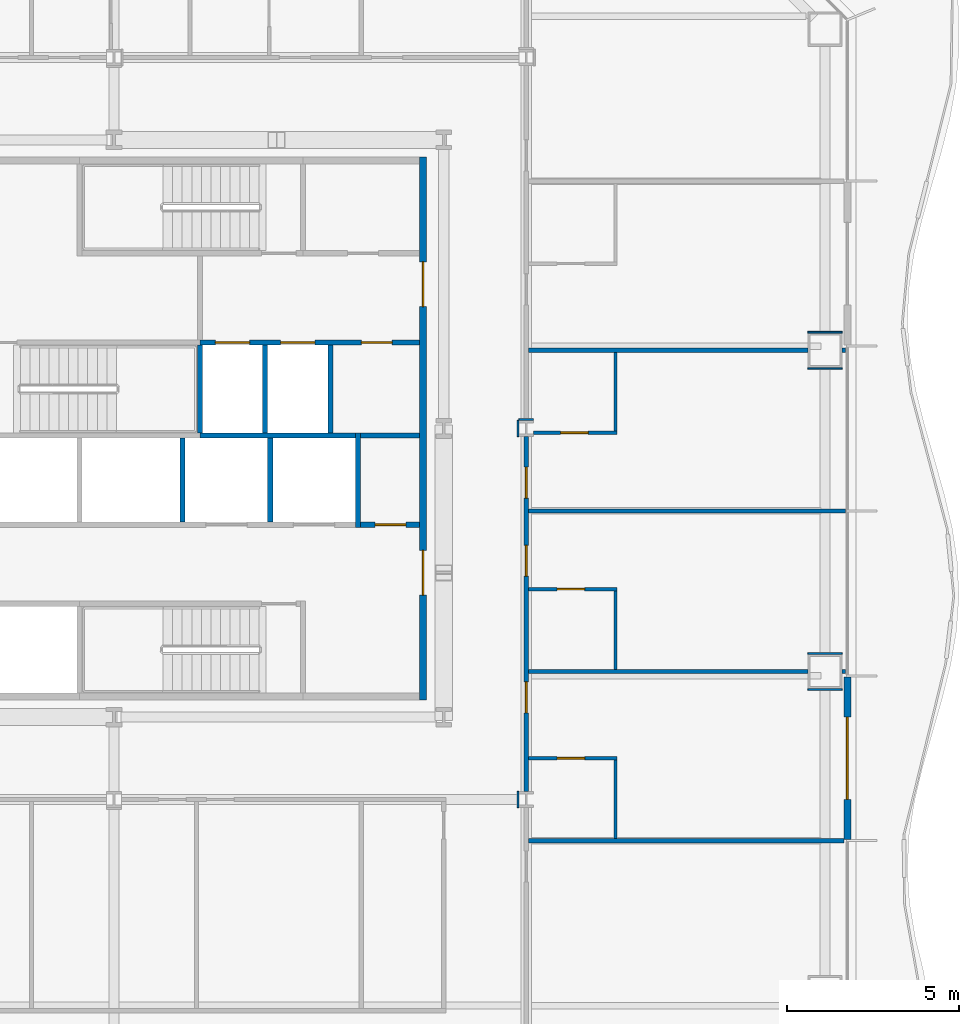
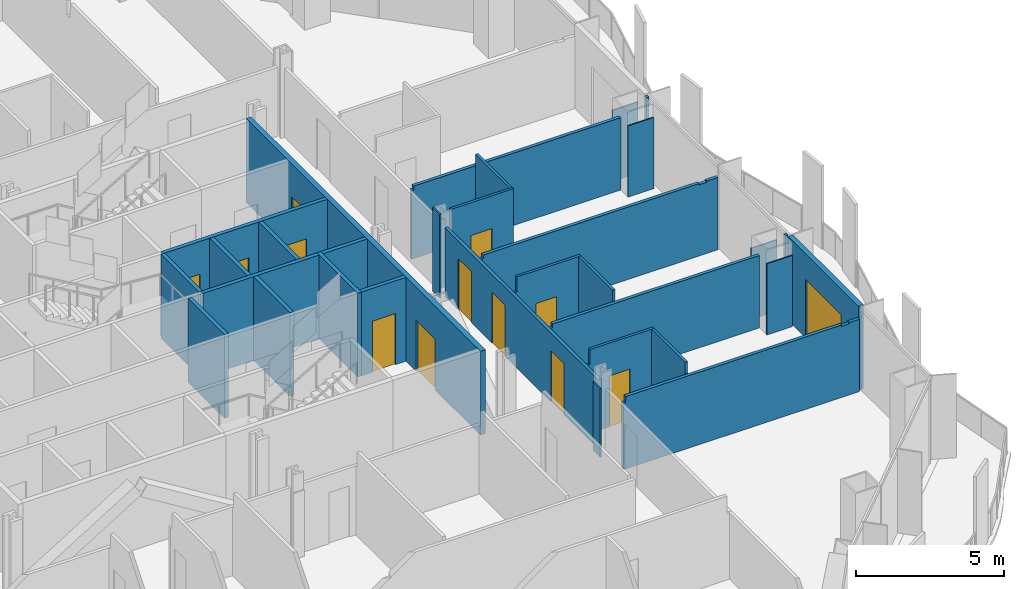
# One storey, part 11 of 20: 32 walls, 13 doors, 13 openings.
"""IFC4 building model written with IfcOpenShell, lengths in metres."""

from ifc_helpers import new_model, si_unit, direction, frame, frame_2d, origin, place, context, subcontext, project, spatial, polyline, rectangle, outline, extrude, material, layer, layer_set, type_object, element, fill, save


model = new_model("IFC4")

# Units and contexts
model_context = context("Model", 3, precision=1e-05, world=origin(), true_north=direction((0.0, 1.0)))
body_context = subcontext(model_context, "Body", "Model", "MODEL_VIEW")
ifc_project = project(units=[si_unit("LENGTHUNIT", "METRE"), si_unit("AREAUNIT", "SQUARE_METRE"), si_unit("VOLUMEUNIT", "CUBIC_METRE"), si_unit("PLANEANGLEUNIT", "RADIAN"), si_unit("MASSUNIT", "GRAM", prefix="KILO")], contexts=[model_context])

# Site, building, storey
site_placement = place(None, origin())
site = spatial("IfcSite", under=ifc_project, at=site_placement, CompositionType="ELEMENT")
building_placement = place(site_placement, origin())
building = spatial("IfcBuilding", under=site, at=building_placement, Name="Cairn Pilgrim Tower", CompositionType="ELEMENT")
storey_placement = place(building_placement, frame((0.0, 0.0, 51.0)))
storey = spatial("IfcBuildingStorey", under=building, at=storey_placement, Name="L10", CompositionType="ELEMENT", Elevation=51.0)

# Wall, opening, door
ifc_material_1 = material(Name="Bronze anodised aluminium insulated sandwich panel with mineral wool fill", Category="aluminium")
ifc_layer_1 = layer(ifc_material_1, 0.199951171875)
ifc_layer_set_1 = layer_set([ifc_layer_1], Name="BRONZE INFILL FRAME WALL 200")
wall_type_1 = type_object("IfcWallType", Name="BRONZE INFILL FRAME WALL 200", PredefinedType="NOTDEFINED", material=ifc_layer_set_1)
wall_1_placement = place(storey_placement, frame((28.550048828125, -9.570068359375, 0.0), z_axis=(0.0, 0.0, 1.0), x_axis=(0.0, 1.0, 0.0)))
wall_1 = element("IfcWall", 1, at=wall_1_placement, inside=storey, type_object=wall_type_1, Name="Bronze infill frame wall IW-E2", PredefinedType="NOTDEFINED", context=body_context, shape_type="SweptSolid", body=[
    extrude(rectangle(XDim=4.739990234375, YDim=0.199951171875, at=frame_2d((2.3701171875, 0.0))), origin(), (0.0, 0.0, 1.0), 3.449951171875),
])
opening_1_placement = place(wall_1_placement, frame((1.169921875, 0.0, 0.0)))
opening_1 = element("IfcOpeningElement", 2, at=opening_1_placement, cuts=wall_1, Name="Opening 1023B", PredefinedType="OPENING", context=body_context, shape_type="SweptSolid", body=[
    extrude(rectangle(XDim=2.39990234375, YDim=2.39990234375, at=frame_2d((1.199951171875, 1.199951171875))), frame((0.0, 0.10986328125, 0.0), z_axis=(0.0, -1.0, 0.0), x_axis=(1.0, 0.0, 0.0)), (0.0, 0.0, 1.0), 0.219970703125),
])
ifc_material_2 = material(Name="Bronze anodised aluminium frame with tinted low-E glass", Category="aluminium")
door_type_1 = type_object("IfcDoorType", Name="BALCONY SLIDING DOOR 2400x2400", OperationType="DOUBLE_DOOR_SLIDING", PredefinedType="DOOR", material=ifc_material_2)
door_1_placement = place(opening_1_placement, origin())
door_1 = element("IfcDoor", 3, at=door_1_placement, inside=storey, type_object=door_type_1, Name="Balcony sliding door 1023B", OperationType="SINGLE_SWING_LEFT", OverallHeight=2.39990234375, OverallWidth=2.39990234375, PredefinedType="DOOR", context=body_context, shape_type="SweptSolid", body=[
    extrude(rectangle(XDim=2.39990234375, YDim=2.39990234375, at=frame_2d((1.199951171875, 1.199951171875))), frame((0.0, 0.02490234375, 0.0), z_axis=(0.0, -1.0, 0.0), x_axis=(1.0, 0.0, 0.0)), (0.0, 0.0, 1.0), 0.050048828125),
])
fill(opening_1, door_1)

# Wall, openings, doors
ifc_material_3 = material(Name="Concrete C32/40", Category="concrete")
ifc_layer_2 = layer(ifc_material_3, 0.199951171875)
ifc_layer_set_2 = layer_set([ifc_layer_2], Name="CORE OUTER WALL 200 EI 120")
wall_type_2 = type_object("IfcWallType", Name="CORE OUTER WALL 200 EI 120", PredefinedType="SOLIDWALL", material=ifc_layer_set_2)
wall_2_placement = place(storey_placement, frame((16.199951171875, -5.5, 0.0), z_axis=(0.0, 0.0, 1.0), x_axis=(0.0, 1.0, 0.0)))
wall_2 = element("IfcWall", 4, at=wall_2_placement, inside=storey, type_object=wall_type_2, Name="CW:L10:V34", PredefinedType="SOLIDWALL", context=body_context, shape_type="SweptSolid", body=[
    extrude(rectangle(XDim=15.800048828125, YDim=0.199951171875, at=frame_2d((7.89990234375, 0.0))), origin(), (0.0, 0.0, 1.0), 3.449951171875),
])
opening_2_placement = place(wall_2_placement, frame((3.050048828125, 0.0, 0.0)))
opening_2 = element("IfcOpeningElement", 5, at=opening_2_placement, cuts=wall_2, Name="Opening CD-E1", PredefinedType="OPENING", context=body_context, shape_type="SweptSolid", body=[
    extrude(rectangle(XDim=1.300048828125, YDim=2.10009765625, at=frame_2d((0.64990234375, 1.050048828125))), frame((0.0, 0.10986328125, 0.0), z_axis=(0.0, -1.0, 0.0), x_axis=(1.0, 0.0, 0.0)), (0.0, 0.0, 1.0), 0.219970703125),
])
opening_3_placement = place(wall_2_placement, frame((11.449951171875, 0.0, 0.0)))
opening_3 = element("IfcOpeningElement", 6, at=opening_3_placement, cuts=wall_2, Name="Opening CD-E2", PredefinedType="OPENING", context=body_context, shape_type="SweptSolid", body=[
    extrude(rectangle(XDim=1.300048828125, YDim=2.10009765625, at=frame_2d((0.64990234375, 1.050048828125))), frame((0.0, 0.10986328125, 0.0), z_axis=(0.0, -1.0, 0.0), x_axis=(1.0, 0.0, 0.0)), (0.0, 0.0, 1.0), 0.219970703125),
])
ifc_material_4 = material(Name="Painted steel", Category="steel")
door_type_2 = type_object("IfcDoorType", Name="CORE LOBBY DOOR 1300x2100", OperationType="DOUBLE_DOOR_SINGLE_SWING", PredefinedType="DOOR", material=ifc_material_4)
door_2_placement = place(opening_2_placement, origin())
door_2 = element("IfcDoor", 7, at=door_2_placement, inside=storey, type_object=door_type_2, Name="CD-E1", OperationType="DOUBLE_DOOR_SINGLE_SWING", OverallHeight=2.10009765625, OverallWidth=1.300048828125, PredefinedType="DOOR", context=body_context, shape_type="SweptSolid", body=[
    extrude(rectangle(XDim=1.300048828125, YDim=2.10009765625, at=frame_2d((0.64990234375, 1.050048828125))), frame((0.0, 0.02490234375, 0.0), z_axis=(0.0, -1.0, 0.0), x_axis=(1.0, 0.0, 0.0)), (0.0, 0.0, 1.0), 0.050048828125),
])
fill(opening_2, door_2)
door_3_placement = place(opening_3_placement, origin())
door_3 = element("IfcDoor", 8, at=door_3_placement, inside=storey, type_object=door_type_2, Name="CD-E2", OperationType="DOUBLE_DOOR_SINGLE_SWING", OverallHeight=2.10009765625, OverallWidth=1.300048828125, PredefinedType="DOOR", context=body_context, shape_type="SweptSolid", body=[
    extrude(rectangle(XDim=1.300048828125, YDim=2.10009765625, at=frame_2d((0.64990234375, 1.050048828125))), frame((0.0, 0.02490234375, 0.0), z_axis=(0.0, -1.0, 0.0), x_axis=(1.0, 0.0, 0.0)), (0.0, 0.0, 1.0), 0.050048828125),
])
fill(opening_3, door_3)

# Wall, opening, door
ifc_layer_3 = layer(ifc_material_3, 0.14990234375)
ifc_layer_set_3 = layer_set([ifc_layer_3], Name="CORE PARTITION 150 EI 60")
wall_type_3 = type_object("IfcWallType", Name="CORE PARTITION 150 EI 60", PredefinedType="PARTITIONING", material=ifc_layer_set_3)
wall_3_placement = place(storey_placement, frame((14.375, -0.39990234375, 0.0), z_axis=(0.0, 0.0, 1.0), x_axis=(1.0, 0.0, 0.0)))
wall_3 = element("IfcWall", 9, at=wall_3_placement, inside=storey, type_object=wall_type_3, Name="CW:L10:H04", PredefinedType="PARTITIONING", context=body_context, shape_type="SweptSolid", body=[
    extrude(rectangle(XDim=1.72509765625, YDim=0.14990234375, at=frame_2d((0.862548828125, 0.0))), origin(), (0.0, 0.0, 1.0), 3.449951171875),
])
opening_4_placement = place(wall_3_placement, frame((0.425048828125, 0.0, 0.0)))
opening_4 = element("IfcOpeningElement", 10, at=opening_4_placement, cuts=wall_3, Name="Opening RD-R2E", PredefinedType="OPENING", context=body_context, shape_type="SweptSolid", body=[
    extrude(rectangle(XDim=0.89990234375, YDim=2.10009765625, at=frame_2d((0.449951171875, 1.050048828125))), frame((0.0, 0.0849609375, 0.0), z_axis=(0.0, -1.0, 0.0), x_axis=(1.0, 0.0, 0.0)), (0.0, 0.0, 1.0), 0.169921875),
])
door_type_3 = type_object("IfcDoorType", Name="SERVICE ROOM DOOR 900x2100", OperationType="SINGLE_SWING_LEFT", PredefinedType="DOOR", material=ifc_material_4)
door_4_placement = place(opening_4_placement, origin())
door_4 = element("IfcDoor", 11, at=door_4_placement, inside=storey, type_object=door_type_3, Name="RD-R2E", OperationType="SINGLE_SWING_LEFT", OverallHeight=2.10009765625, OverallWidth=0.89990234375, PredefinedType="DOOR", context=body_context, shape_type="SweptSolid", body=[
    extrude(rectangle(XDim=0.89990234375, YDim=2.10009765625, at=frame_2d((0.449951171875, 1.050048828125))), frame((0.0, 0.02490234375, 0.0), z_axis=(0.0, -1.0, 0.0), x_axis=(1.0, 0.0, 0.0)), (0.0, 0.0, 1.0), 0.050048828125),
])
fill(opening_4, door_4)

# Walls
wall_4_placement = place(storey_placement, frame((14.375, 2.199951171875, 0.0), z_axis=(0.0, 0.0, 1.0), x_axis=(1.0, 0.0, 0.0)))
element("IfcWall", 12, at=wall_4_placement, inside=storey, type_object=wall_type_3, Name="CW:L10:H06", PredefinedType="PARTITIONING", context=body_context, shape_type="SweptSolid", body=[
    extrude(rectangle(XDim=1.72509765625, YDim=0.14990234375, at=frame_2d((0.862548828125, 0.0))), origin(), (0.0, 0.0, 1.0), 3.449951171875),
])
ifc_layer_4 = layer(ifc_material_3, 0.14990234375)
ifc_layer_set_4 = layer_set([ifc_layer_4], Name="CORE SHAFT WALL 150 EI 120")
wall_type_4 = type_object("IfcWallType", Name="CORE SHAFT WALL 150 EI 120", PredefinedType="SOLIDWALL", material=ifc_layer_set_4)
wall_5_placement = place(storey_placement, frame((9.699951171875, 2.199951171875, 0.0), z_axis=(0.0, 0.0, 1.0), x_axis=(1.0, 0.0, 0.0)))
element("IfcWall", 13, at=wall_5_placement, inside=storey, type_object=wall_type_4, Name="CW:L10:H05-3", PredefinedType="SOLIDWALL", context=body_context, shape_type="SweptSolid", body=[
    extrude(rectangle(XDim=4.525146484375, YDim=0.14990234375, at=frame_2d((2.2626953125, 0.0))), origin(), (0.0, 0.0, 1.0), 3.449951171875),
])

# Wall, openings, doors
wall_6_placement = place(storey_placement, frame((9.699951171875, 4.89990234375, 0.0), z_axis=(0.0, 0.0, 1.0), x_axis=(1.0, 0.0, 0.0)))
wall_6 = element("IfcWall", 14, at=wall_6_placement, inside=storey, type_object=wall_type_4, Name="CW:L10:H08-2", PredefinedType="SOLIDWALL", context=body_context, shape_type="SweptSolid", body=[
    extrude(rectangle(XDim=6.400146484375, YDim=0.14990234375, at=frame_2d((3.2001953125, 0.0))), origin(), (0.0, 0.0, 1.0), 3.449951171875),
])
opening_5_placement = place(wall_6_placement, frame((0.449951171875, 0.0, 0.0)))
opening_5 = element("IfcOpeningElement", 15, at=opening_5_placement, cuts=wall_6, Name="Opening LD-FF1", PredefinedType="OPENING", context=body_context, shape_type="SweptSolid", body=[
    extrude(rectangle(XDim=1.0, YDim=2.10009765625, at=frame_2d((0.5, 1.050048828125))), frame((0.0, 0.0849609375, 0.0), z_axis=(0.0, -1.0, 0.0), x_axis=(1.0, 0.0, 0.0)), (0.0, 0.0, 1.0), 0.169921875),
])
opening_6_placement = place(wall_6_placement, frame((2.35009765625, 0.0, 0.0)))
opening_6 = element("IfcOpeningElement", 16, at=opening_6_placement, cuts=wall_6, Name="Opening LD-FF2", PredefinedType="OPENING", context=body_context, shape_type="SweptSolid", body=[
    extrude(rectangle(XDim=1.0, YDim=2.10009765625, at=frame_2d((0.5, 1.050048828125))), frame((0.0, 0.0849609375, 0.0), z_axis=(0.0, -1.0, 0.0), x_axis=(1.0, 0.0, 0.0)), (0.0, 0.0, 1.0), 0.169921875),
])
opening_7_placement = place(wall_6_placement, frame((4.699951171875, 0.0, 0.0)))
opening_7 = element("IfcOpeningElement", 17, at=opening_7_placement, cuts=wall_6, Name="Opening RD-R3E", PredefinedType="OPENING", context=body_context, shape_type="SweptSolid", body=[
    extrude(rectangle(XDim=0.89990234375, YDim=2.10009765625, at=frame_2d((0.449951171875, 1.050048828125))), frame((0.0, 0.0849609375, 0.0), z_axis=(0.0, -1.0, 0.0), x_axis=(1.0, 0.0, 0.0)), (0.0, 0.0, 1.0), 0.169921875),
])
ifc_material_5 = material(Name="Stainless steel", Category="steel")
door_type_4 = type_object("IfcDoorType", Name="LIFT LANDING DOOR FIRE 1000x2100", OperationType="DOUBLE_DOOR_SLIDING", PredefinedType="DOOR", material=ifc_material_5)
door_5_placement = place(opening_5_placement, origin())
door_5 = element("IfcDoor", 18, at=door_5_placement, inside=storey, type_object=door_type_4, Name="LANDING DOOR FF1", OperationType="DOUBLE_DOOR_SLIDING", OverallHeight=2.10009765625, OverallWidth=1.0, PredefinedType="DOOR", context=body_context, shape_type="SweptSolid", body=[
    extrude(rectangle(XDim=1.0, YDim=2.10009765625, at=frame_2d((0.5, 1.050048828125))), frame((0.0, 0.02490234375, 0.0), z_axis=(0.0, -1.0, 0.0), x_axis=(1.0, 0.0, 0.0)), (0.0, 0.0, 1.0), 0.050048828125),
])
fill(opening_5, door_5)
door_6_placement = place(opening_6_placement, origin())
door_6 = element("IfcDoor", 19, at=door_6_placement, inside=storey, type_object=door_type_4, Name="LANDING DOOR FF2", OperationType="DOUBLE_DOOR_SLIDING", OverallHeight=2.10009765625, OverallWidth=1.0, PredefinedType="DOOR", context=body_context, shape_type="SweptSolid", body=[
    extrude(rectangle(XDim=1.0, YDim=2.10009765625, at=frame_2d((0.5, 1.050048828125))), frame((0.0, 0.02490234375, 0.0), z_axis=(0.0, -1.0, 0.0), x_axis=(1.0, 0.0, 0.0)), (0.0, 0.0, 1.0), 0.050048828125),
])
fill(opening_6, door_6)
door_7_placement = place(opening_7_placement, origin())
door_7 = element("IfcDoor", 20, at=door_7_placement, inside=storey, type_object=door_type_3, Name="RD-R3E", OperationType="SINGLE_SWING_RIGHT", OverallHeight=2.10009765625, OverallWidth=0.89990234375, PredefinedType="DOOR", context=body_context, shape_type="SweptSolid", body=[
    extrude(rectangle(XDim=0.89990234375, YDim=2.10009765625, at=frame_2d((0.449951171875, 1.050048828125))), frame((0.0, 0.02490234375, 0.0), z_axis=(0.0, -1.0, 0.0), x_axis=(1.0, 0.0, 0.0)), (0.0, 0.0, 1.0), 0.050048828125),
])
fill(opening_7, door_7)

# Walls
wall_7_placement = place(storey_placement, frame((9.199951171875, -0.324951171875, 0.0), z_axis=(0.0, 0.0, 1.0), x_axis=(0.0, 1.0, 0.0)))
element("IfcWall", 21, at=wall_7_placement, inside=storey, type_object=wall_type_4, Name="CW:L10:V25", PredefinedType="SOLIDWALL", context=body_context, shape_type="SweptSolid", body=[
    extrude(rectangle(XDim=2.449951171875, YDim=0.14990234375, at=frame_2d((1.22509765625, 0.0))), origin(), (0.0, 0.0, 1.0), 3.449951171875),
])
wall_8_placement = place(storey_placement, frame((11.60009765625, 2.27490234375, 0.0), z_axis=(0.0, 0.0, 1.0), x_axis=(0.0, 1.0, 0.0)))
element("IfcWall", 22, at=wall_8_placement, inside=storey, type_object=wall_type_4, Name="CW:L10:V28", PredefinedType="SOLIDWALL", context=body_context, shape_type="SweptSolid", body=[
    extrude(rectangle(XDim=2.550048828125, YDim=0.14990234375, at=frame_2d((1.27490234375, 0.0))), origin(), (0.0, 0.0, 1.0), 3.449951171875),
])
wall_9_placement = place(storey_placement, frame((11.75, -0.324951171875, 0.0), z_axis=(0.0, 0.0, 1.0), x_axis=(0.0, 1.0, 0.0)))
element("IfcWall", 23, at=wall_9_placement, inside=storey, type_object=wall_type_4, Name="CW:L10:V29", PredefinedType="SOLIDWALL", context=body_context, shape_type="SweptSolid", body=[
    extrude(rectangle(XDim=2.449951171875, YDim=0.14990234375, at=frame_2d((1.22509765625, 0.0))), origin(), (0.0, 0.0, 1.0), 3.449951171875),
])
wall_10_placement = place(storey_placement, frame((13.5, 2.27490234375, 0.0), z_axis=(0.0, 0.0, 1.0), x_axis=(0.0, 1.0, 0.0)))
element("IfcWall", 24, at=wall_10_placement, inside=storey, type_object=wall_type_4, Name="CW:L10:V32", PredefinedType="SOLIDWALL", context=body_context, shape_type="SweptSolid", body=[
    extrude(rectangle(XDim=2.550048828125, YDim=0.14990234375, at=frame_2d((1.27490234375, 0.0))), origin(), (0.0, 0.0, 1.0), 3.449951171875),
])
wall_11_placement = place(storey_placement, frame((14.300048828125, -0.47509765625, 0.0), z_axis=(0.0, 0.0, 1.0), x_axis=(0.0, 1.0, 0.0)))
element("IfcWall", 25, at=wall_11_placement, inside=storey, type_object=wall_type_4, Name="CW:L10:V33", PredefinedType="SOLIDWALL", context=body_context, shape_type="SweptSolid", body=[
    extrude(rectangle(XDim=2.75, YDim=0.14990234375, at=frame_2d((1.375, 0.0))), origin(), (0.0, 0.0, 1.0), 3.449951171875),
])
ifc_material_6 = material(Name="Gypsum partition")
ifc_layer_5 = layer(ifc_material_6, 0.10009765625)
ifc_layer_set_5 = layer_set([ifc_layer_5], Name="PARTITION 100 DRYWALL")
wall_type_5 = type_object("IfcWallType", Name="PARTITION 100 DRYWALL", PredefinedType="PARTITIONING", material=ifc_layer_set_5)
wall_12_placement = place(storey_placement, frame((21.800048828125, -9.53759765625, 0.0), z_axis=(0.0, 0.0, 1.0), x_axis=(0.0, 1.0, 0.0)))
element("IfcWall", 26, at=wall_12_placement, inside=storey, type_object=wall_type_5, Name="PARTITION W029", PredefinedType="PARTITIONING", context=body_context, shape_type="SweptSolid", body=[
    extrude(outline(polyline([(0.0, 0.0), (2.28759765625, 0.0), (2.28759765625, 3.449951171875), (0.032470703125, 3.449951171875), (0.030517578125, 2.97998046875), (0.0, 2.97998046875), (0.0, 0.0)])), frame((0.0, 0.050048828125, 0.0), z_axis=(0.0, -1.0, 0.0), x_axis=(1.0, 0.0, 0.0)), (0.0, 0.0, 1.0), 0.10009765625),
])

# Wall, opening, door
wall_13_placement = place(storey_placement, frame((19.262451171875, -7.199951171875, 0.0), z_axis=(0.0, 0.0, 1.0), x_axis=(1.0, 0.0, 0.0)))
wall_13 = element("IfcWall", 27, at=wall_13_placement, inside=storey, type_object=wall_type_5, Name="PARTITION W036", PredefinedType="PARTITIONING", context=body_context, shape_type="SweptSolid", body=[
    extrude(outline(polyline([(0.0, 0.0), (2.587646484375, 0.0), (2.58740234375, 3.449951171875), (0.08740234375, 3.449951171875), (0.08544921875, 2.830078125), (0.0, 2.830078125), (0.0, 0.0)])), frame((0.0, 0.050048828125, 0.0), z_axis=(0.0, -1.0, 0.0), x_axis=(1.0, 0.0, 0.0)), (0.0, 0.0, 1.0), 0.10009765625),
])
opening_8_placement = place(wall_13_placement, frame((0.83740234375, 0.0, 0.0)))
opening_8 = element("IfcOpeningElement", 28, at=opening_8_placement, cuts=wall_13, Name="Opening 1023E", PredefinedType="OPENING", context=body_context, shape_type="SweptSolid", body=[
    extrude(rectangle(XDim=0.800048828125, YDim=2.10009765625, at=frame_2d((0.39990234375, 1.050048828125))), frame((0.0, 0.06005859375, 0.0), z_axis=(0.0, -1.0, 0.0), x_axis=(1.0, 0.0, 0.0)), (0.0, 0.0, 1.0), 0.1201171875),
])
ifc_material_7 = material(Name="Timber door leaf", Category="wood")
door_type_5 = type_object("IfcDoorType", Name="DOOR 800x2100", OperationType="NOTDEFINED", PredefinedType="DOOR", material=ifc_material_7)
door_8_placement = place(opening_8_placement, frame((0.800048828125, 0.0, 0.0), z_axis=(0.0, 0.0, 1.0), x_axis=(-1.0, 0.0, 0.0)))
door_8 = element("IfcDoor", 29, at=door_8_placement, inside=storey, type_object=door_type_5, Name="DOOR 1023E", OperationType="SINGLE_SWING_LEFT", OverallHeight=2.10009765625, OverallWidth=0.800048828125, PredefinedType="DOOR", context=body_context, shape_type="SweptSolid", body=[
    extrude(rectangle(XDim=0.800048828125, YDim=2.10009765625, at=frame_2d((0.39990234375, 1.050048828125))), frame((0.0, 0.02490234375, 0.0), z_axis=(0.0, -1.0, 0.0), x_axis=(1.0, 0.0, 0.0)), (0.0, 0.0, 1.0), 0.050048828125),
])
fill(opening_8, door_8)

# Wall
wall_14_placement = place(storey_placement, frame((21.800048828125, -4.613525390625, 0.0), z_axis=(0.0, 0.0, 1.0), x_axis=(0.0, 1.0, 0.0)))
element("IfcWall", 30, at=wall_14_placement, inside=storey, type_object=wall_type_5, Name="PARTITION W042", PredefinedType="PARTITIONING", context=body_context, shape_type="SweptSolid", body=[
    extrude(rectangle(XDim=2.28759765625, YDim=0.10009765625, at=frame_2d((1.143798828125, 0.0))), origin(), (0.0, 0.0, 1.0), 3.449951171875),
])

# Wall, opening, door
wall_15_placement = place(storey_placement, frame((19.262451171875, -2.27587890625, 0.0), z_axis=(0.0, 0.0, 1.0), x_axis=(1.0, 0.0, 0.0)))
wall_15 = element("IfcWall", 31, at=wall_15_placement, inside=storey, type_object=wall_type_5, Name="PARTITION W043", PredefinedType="PARTITIONING", context=body_context, shape_type="SweptSolid", body=[
    extrude(outline(polyline([(0.0, 0.0), (2.587646484375, 0.0), (2.58740234375, 3.449951171875), (0.08740234375, 3.449951171875), (0.08544921875, 2.830078125), (0.0, 2.830078125), (0.0, 0.0)])), frame((0.0, 0.050048828125, 0.0), z_axis=(0.0, -1.0, 0.0), x_axis=(1.0, 0.0, 0.0)), (0.0, 0.0, 1.0), 0.10009765625),
])
opening_9_placement = place(wall_15_placement, frame((0.83740234375, 0.0, 0.0)))
opening_9 = element("IfcOpeningElement", 32, at=opening_9_placement, cuts=wall_15, Name="Opening 1024E", PredefinedType="OPENING", context=body_context, shape_type="SweptSolid", body=[
    extrude(rectangle(XDim=0.800048828125, YDim=2.10009765625, at=frame_2d((0.39990234375, 1.050048828125))), frame((0.0, 0.06005859375, 0.0), z_axis=(0.0, -1.0, 0.0), x_axis=(1.0, 0.0, 0.0)), (0.0, 0.0, 1.0), 0.1201171875),
])
door_9_placement = place(opening_9_placement, frame((0.800048828125, 0.0, 0.0), z_axis=(0.0, 0.0, 1.0), x_axis=(-1.0, 0.0, 0.0)))
door_9 = element("IfcDoor", 33, at=door_9_placement, inside=storey, type_object=door_type_5, Name="DOOR 1024E", OperationType="SINGLE_SWING_LEFT", OverallHeight=2.10009765625, OverallWidth=0.800048828125, PredefinedType="DOOR", context=body_context, shape_type="SweptSolid", body=[
    extrude(rectangle(XDim=0.800048828125, YDim=2.10009765625, at=frame_2d((0.39990234375, 1.050048828125))), frame((0.0, 0.02490234375, 0.0), z_axis=(0.0, -1.0, 0.0), x_axis=(1.0, 0.0, 0.0)), (0.0, 0.0, 1.0), 0.050048828125),
])
fill(opening_9, door_9)

wall_16_placement = place(storey_placement, frame((19.412109375, 2.27587890625, 0.0), z_axis=(0.0, 0.0, 1.0), x_axis=(1.0, 0.0, 0.0)))
wall_16 = element("IfcWall", 34, at=wall_16_placement, inside=storey, type_object=wall_type_5, Name="PARTITION W048", PredefinedType="PARTITIONING", context=body_context, shape_type="SweptSolid", body=[
    extrude(rectangle(XDim=2.43798828125, YDim=0.10009765625, at=frame_2d((1.218994140625, 0.0))), origin(), (0.0, 0.0, 1.0), 3.449951171875),
])
opening_10_placement = place(wall_16_placement, frame((0.7880859375, 0.0, 0.0)))
opening_10 = element("IfcOpeningElement", 35, at=opening_10_placement, cuts=wall_16, Name="Opening 1025E", PredefinedType="OPENING", context=body_context, shape_type="SweptSolid", body=[
    extrude(rectangle(XDim=0.800048828125, YDim=2.10009765625, at=frame_2d((0.39990234375, 1.050048828125))), frame((0.0, 0.06005859375, 0.0), z_axis=(0.0, -1.0, 0.0), x_axis=(1.0, 0.0, 0.0)), (0.0, 0.0, 1.0), 0.1201171875),
])
door_10_placement = place(opening_10_placement, origin())
door_10 = element("IfcDoor", 36, at=door_10_placement, inside=storey, type_object=door_type_5, Name="DOOR 1025E", OperationType="SINGLE_SWING_LEFT", OverallHeight=2.10009765625, OverallWidth=0.800048828125, PredefinedType="DOOR", context=body_context, shape_type="SweptSolid", body=[
    extrude(rectangle(XDim=0.800048828125, YDim=2.10009765625, at=frame_2d((0.39990234375, 1.050048828125))), frame((0.0, 0.02490234375, 0.0), z_axis=(0.0, -1.0, 0.0), x_axis=(1.0, 0.0, 0.0)), (0.0, 0.0, 1.0), 0.050048828125),
])
fill(opening_10, door_10)

# Walls
wall_17_placement = place(storey_placement, frame((21.800048828125, 2.325927734375, 0.0), z_axis=(0.0, 0.0, 1.0), x_axis=(0.0, 1.0, 0.0)))
element("IfcWall", 37, at=wall_17_placement, inside=storey, type_object=wall_type_5, Name="PARTITION W049", PredefinedType="PARTITIONING", context=body_context, shape_type="SweptSolid", body=[
    extrude(rectangle(XDim=2.28759765625, YDim=0.10009765625, at=frame_2d((1.143798828125, 0.0))), origin(), (0.0, 0.0, 1.0), 3.449951171875),
])
ifc_layer_6 = layer(ifc_material_6, 0.125)
ifc_layer_set_6 = layer_set([ifc_layer_6], Name="PARTITION 125 DRYWALL EI 60")
wall_type_6 = type_object("IfcWallType", Name="PARTITION 125 DRYWALL EI 60", PredefinedType="PARTITIONING", material=ifc_layer_set_6)
wall_18_placement = place(storey_placement, frame((19.262451171875, -9.60009765625, 0.0), z_axis=(0.0, 0.0, 1.0), x_axis=(1.0, 0.0, 0.0)))
element("IfcWall", 38, at=wall_18_placement, inside=storey, type_object=wall_type_6, Name="PARTITION W028", PredefinedType="PARTITIONING", context=body_context, shape_type="SweptSolid", body=[
    extrude(outline(polyline([(0.0, 0.0), (9.1875, 0.0), (9.1875, 2.97998046875), (8.78759765625, 2.97998046875), (8.785400390625, 2.929931640625), (8.487548828125, 2.929931640625), (8.485595703125, 2.97998046875), (0.08740234375, 2.97998046875), (0.08544921875, 2.72998046875), (0.0, 2.72998046875), (0.0, 0.0)])), frame((0.0, 0.0625, 0.0), z_axis=(0.0, -1.0, 0.0), x_axis=(1.0, 0.0, 0.0)), (0.0, 0.0, 1.0), 0.125),
])

# Wall, openings, doors
wall_19_placement = place(storey_placement, frame((19.199951171875, -8.1630859375, 0.0), z_axis=(0.0, 0.0, 1.0), x_axis=(0.0, 1.0, 0.0)))
wall_19 = element("IfcWall", 39, at=wall_19_placement, inside=storey, type_object=wall_type_6, Name="PARTITION W035", PredefinedType="PARTITIONING", context=body_context, shape_type="SweptSolid", body=[
    extrude(rectangle(XDim=10.326171875, YDim=0.125, at=frame_2d((5.1630859375, 0.0))), origin(), (0.0, 0.0, 1.0), 2.830078125),
])
opening_11_placement = place(wall_19_placement, frame((2.287109375, 0.0, 0.0)))
opening_11 = element("IfcOpeningElement", 40, at=opening_11_placement, cuts=wall_19, Name="Opening 1023", PredefinedType="OPENING", context=body_context, shape_type="SweptSolid", body=[
    extrude(rectangle(XDim=0.89990234375, YDim=2.10009765625, at=frame_2d((0.449951171875, 1.050048828125))), frame((0.0, 0.072509765625, 0.0), z_axis=(0.0, -1.0, 0.0), x_axis=(1.0, 0.0, 0.0)), (0.0, 0.0, 1.0), 0.14501953125),
])
opening_12_placement = place(wall_19_placement, frame((6.262939453125, 0.0, 0.0)))
opening_12 = element("IfcOpeningElement", 41, at=opening_12_placement, cuts=wall_19, Name="Opening 1024", PredefinedType="OPENING", context=body_context, shape_type="SweptSolid", body=[
    extrude(rectangle(XDim=0.89990234375, YDim=2.10009765625, at=frame_2d((0.449951171875, 1.050048828125))), frame((0.0, 0.072509765625, 0.0), z_axis=(0.0, -1.0, 0.0), x_axis=(1.0, 0.0, 0.0)), (0.0, 0.0, 1.0), 0.14501953125),
])
opening_13_placement = place(wall_19_placement, frame((8.5390625, 0.0, 0.0)))
opening_13 = element("IfcOpeningElement", 42, at=opening_13_placement, cuts=wall_19, Name="Opening 1025", PredefinedType="OPENING", context=body_context, shape_type="SweptSolid", body=[
    extrude(rectangle(XDim=0.89990234375, YDim=2.10009765625, at=frame_2d((0.449951171875, 1.050048828125))), frame((0.0, 0.072509765625, 0.0), z_axis=(0.0, -1.0, 0.0), x_axis=(1.0, 0.0, 0.0)), (0.0, 0.0, 1.0), 0.14501953125),
])
ifc_material_8 = material(Name="Steel-faced fire door leaf", Category="steel")
door_type_6 = type_object("IfcDoorType", Name="FIRE DOOR 900x2100 FD30S", OperationType="NOTDEFINED", PredefinedType="DOOR", material=ifc_material_8)
door_11_placement = place(opening_11_placement, frame((0.89990234375, 0.0, 0.0), z_axis=(0.0, 0.0, 1.0), x_axis=(-1.0, 0.0, 0.0)))
door_11 = element("IfcDoor", 43, at=door_11_placement, inside=storey, type_object=door_type_6, Name="DOOR 1023", OperationType="SINGLE_SWING_RIGHT", OverallHeight=2.10009765625, OverallWidth=0.89990234375, PredefinedType="DOOR", context=body_context, shape_type="SweptSolid", body=[
    extrude(rectangle(XDim=0.89990234375, YDim=2.10009765625, at=frame_2d((0.449951171875, 1.050048828125))), frame((0.0, 0.02490234375, 0.0), z_axis=(0.0, -1.0, 0.0), x_axis=(1.0, 0.0, 0.0)), (0.0, 0.0, 1.0), 0.050048828125),
])
fill(opening_11, door_11)
door_12_placement = place(opening_12_placement, frame((0.89990234375, 0.0, 0.0), z_axis=(0.0, 0.0, 1.0), x_axis=(-1.0, 0.0, 0.0)))
door_12 = element("IfcDoor", 44, at=door_12_placement, inside=storey, type_object=door_type_6, Name="DOOR 1024", OperationType="SINGLE_SWING_RIGHT", OverallHeight=2.10009765625, OverallWidth=0.89990234375, PredefinedType="DOOR", context=body_context, shape_type="SweptSolid", body=[
    extrude(rectangle(XDim=0.89990234375, YDim=2.10009765625, at=frame_2d((0.449951171875, 1.050048828125))), frame((0.0, 0.02490234375, 0.0), z_axis=(0.0, -1.0, 0.0), x_axis=(1.0, 0.0, 0.0)), (0.0, 0.0, 1.0), 0.050048828125),
])
fill(opening_12, door_12)
door_13_placement = place(opening_13_placement, frame((0.89990234375, 0.0, 0.0), z_axis=(0.0, 0.0, 1.0), x_axis=(-1.0, 0.0, 0.0)))
door_13 = element("IfcDoor", 45, at=door_13_placement, inside=storey, type_object=door_type_6, Name="DOOR 1025", OperationType="SINGLE_SWING_RIGHT", OverallHeight=2.10009765625, OverallWidth=0.89990234375, PredefinedType="DOOR", context=body_context, shape_type="SweptSolid", body=[
    extrude(rectangle(XDim=0.89990234375, YDim=2.10009765625, at=frame_2d((0.449951171875, 1.050048828125))), frame((0.0, 0.02490234375, 0.0), z_axis=(0.0, -1.0, 0.0), x_axis=(1.0, 0.0, 0.0)), (0.0, 0.0, 1.0), 0.050048828125),
])
fill(opening_13, door_13)

# Walls
wall_20_placement = place(storey_placement, frame((19.262451171875, -4.676025390625, 0.0), z_axis=(0.0, 0.0, 1.0), x_axis=(1.0, 0.0, 0.0)))
element("IfcWall", 46, at=wall_20_placement, inside=storey, type_object=wall_type_6, Name="PARTITION W040", PredefinedType="PARTITIONING", context=body_context, shape_type="SweptSolid", body=[
    extrude(outline(polyline([(0.0, 0.0), (8.137451171875, 0.0), (8.137451171875, 2.97998046875), (0.08740234375, 2.97998046875), (0.08544921875, 2.830078125), (0.0, 2.830078125), (0.0, 0.0)])), frame((0.0, 0.0625, 0.0), z_axis=(0.0, -1.0, 0.0), x_axis=(1.0, 0.0, 0.0)), (0.0, 0.0, 1.0), 0.125),
])
wall_21_placement = place(storey_placement, frame((28.39990234375, -4.676025390625, 0.0), z_axis=(0.0, 0.0, 1.0), x_axis=(1.0, 0.0, 0.0)))
element("IfcWall", 47, at=wall_21_placement, inside=storey, type_object=wall_type_6, Name="PARTITION W041", PredefinedType="PARTITIONING", context=body_context, shape_type="SweptSolid", body=[
    extrude(rectangle(XDim=0.10302734375, YDim=0.125, at=frame_2d((0.051513671875, 0.0))), origin(), (0.0, 0.0, 1.0), 3.449951171875),
])
wall_22_placement = place(storey_placement, frame((19.262451171875, 0.0, 0.0), z_axis=(0.0, 0.0, 1.0), x_axis=(1.0, 0.0, 0.0)))
element("IfcWall", 48, at=wall_22_placement, inside=storey, type_object=wall_type_6, Name="PARTITION W047", PredefinedType="PARTITIONING", context=body_context, shape_type="SweptSolid", body=[
    extrude(outline(polyline([(0.0, 0.0), (9.2275390625, 0.0), (9.2275390625, 2.97998046875), (8.78759765625, 2.97998046875), (8.785400390625, 2.929931640625), (8.487548828125, 2.929931640625), (8.485595703125, 2.97998046875), (0.08740234375, 2.97998046875), (0.08544921875, 2.830078125), (0.0, 2.830078125), (0.0, 0.0)])), frame((0.0, 0.0625, 0.0), z_axis=(0.0, -1.0, 0.0), x_axis=(1.0, 0.0, 0.0)), (0.0, 0.0, 1.0), 0.125),
])
wall_23_placement = place(storey_placement, frame((19.262451171875, 4.676025390625, 0.0), z_axis=(0.0, 0.0, 1.0), x_axis=(1.0, 0.0, 0.0)))
element("IfcWall", 49, at=wall_23_placement, inside=storey, type_object=wall_type_6, Name="PARTITION W057", PredefinedType="PARTITIONING", context=body_context, shape_type="SweptSolid", body=[
    extrude(outline(polyline([(0.0, 0.0), (8.137451171875, 0.0), (8.137451171875, 2.97998046875), (0.08740234375, 2.97998046875), (0.08544921875, 2.830078125), (0.0, 2.830078125), (0.0, 0.0)])), frame((0.0, 0.0625, 0.0), z_axis=(0.0, -1.0, 0.0), x_axis=(1.0, 0.0, 0.0)), (0.0, 0.0, 1.0), 0.125),
])
wall_24_placement = place(storey_placement, frame((28.39990234375, 4.676025390625, 0.0), z_axis=(0.0, 0.0, 1.0), x_axis=(1.0, 0.0, 0.0)))
element("IfcWall", 50, at=wall_24_placement, inside=storey, type_object=wall_type_6, Name="PARTITION W058", PredefinedType="PARTITIONING", context=body_context, shape_type="SweptSolid", body=[
    extrude(rectangle(XDim=0.10302734375, YDim=0.125, at=frame_2d((0.051513671875, 0.0))), origin(), (0.0, 0.0, 1.0), 3.449951171875),
])
ifc_layer_7 = layer(ifc_material_6, 0.050048828125)
ifc_layer_set_7 = layer_set([ifc_layer_7], Name="PARTITION 50 DRYWALL")
wall_type_7 = type_object("IfcWallType", Name="PARTITION 50 DRYWALL", PredefinedType="PARTITIONING", material=ifc_layer_set_7)
wall_25_placement = place(storey_placement, frame((18.988037109375, 2.662109375, 0.0), z_axis=(0.0, 0.0, 1.0), x_axis=(1.0, 0.0, 0.0)))
element("IfcWall", 51, at=wall_25_placement, inside=storey, type_object=wall_type_7, Name="COLUMN CASING WC22", PredefinedType="PARTITIONING", context=body_context, shape_type="SweptSolid", body=[
    extrude(rectangle(XDim=0.424072265625, YDim=0.050048828125, at=frame_2d((0.2119140625, 0.0))), origin(), (0.0, 0.0, 1.0), 2.830078125),
])
ifc_layer_8 = layer(ifc_material_6, 0.050048828125)
ifc_layer_set_8 = layer_set([ifc_layer_8], Name="PARTITION 50 DRYWALL EI 60")
wall_type_8 = type_object("IfcWallType", Name="PARTITION 50 DRYWALL EI 60", PredefinedType="PARTITIONING", material=ifc_layer_set_8)
wall_26_placement = place(storey_placement, frame((18.962890625, -8.636962890625, 0.0), z_axis=(0.0, 0.0, 1.0), x_axis=(0.0, 1.0, 0.0)))
element("IfcWall", 52, at=wall_26_placement, inside=storey, type_object=wall_type_8, Name="COLUMN CASING WC09", PredefinedType="PARTITIONING", context=body_context, shape_type="SweptSolid", body=[
    extrude(rectangle(XDim=0.473876953125, YDim=0.050048828125, at=frame_2d((0.23681640625, 0.0))), origin(), (0.0, 0.0, 1.0), 2.830078125),
])
wall_27_placement = place(storey_placement, frame((18.962890625, 2.1630859375, 0.0), z_axis=(0.0, 0.0, 1.0), x_axis=(0.0, 1.0, 0.0)))
element("IfcWall", 53, at=wall_27_placement, inside=storey, type_object=wall_type_8, Name="COLUMN CASING WC10", PredefinedType="PARTITIONING", context=body_context, shape_type="SweptSolid", body=[
    extrude(rectangle(XDim=0.473876953125, YDim=0.050048828125, at=frame_2d((0.23681640625, 0.0))), origin(), (0.0, 0.0, 1.0), 3.449951171875),
])
for number, where, z_axis, x_axis, name in (
    (54, (27.39990234375, -4.150634765625, 0.0), (0.0, 0.0, 1.0), (1.0, 0.0, 0.0), "COLUMN CASING WC19"),
    (55, (27.39990234375, -5.20068359375, 0.0), (0.0, 0.0, 1.0), (1.0, 0.0, 0.0), "COLUMN CASING WC20"),
    (56, (27.39990234375, 5.20068359375, 0.0), (0.0, 0.0, 1.0), (1.0, 0.0, 0.0), "COLUMN CASING WC28"),
    (57, (27.39990234375, 4.150634765625, 0.0), (0.0, 0.0, 1.0), (1.0, 0.0, 0.0), "COLUMN CASING WC29"),
):
    element("IfcWall", number, at=place(storey_placement, frame(where, z_axis=z_axis, x_axis=x_axis)), inside=storey, type_object=wall_type_8, Name=name, PredefinedType="PARTITIONING", context=body_context, shape_type="SweptSolid", body=[
        extrude(rectangle(XDim=1.0, YDim=0.050048828125, at=frame_2d((0.5, 0.0))), origin(), (0.0, 0.0, 1.0), 2.929931640625),
    ])
ifc_material_9 = material(Name="Concrete C35/45", Category="concrete")
ifc_layer_9 = layer(ifc_material_9, 0.14990234375)
ifc_layer_set_9 = layer_set([ifc_layer_9], Name="STAIR SHAFT WALL 150 EI 120")
wall_type_9 = type_object("IfcWallType", Name="STAIR SHAFT WALL 150 EI 120", PredefinedType="SOLIDWALL", material=ifc_layer_set_9)
wall_28_placement = place(storey_placement, frame((9.699951171875, 2.27490234375, 0.0), z_axis=(0.0, 0.0, 1.0), x_axis=(0.0, 1.0, 0.0)))
element("IfcWall", 58, at=wall_28_placement, inside=storey, type_object=wall_type_9, Name="CW:L10:V26", PredefinedType="SOLIDWALL", context=body_context, shape_type="SweptSolid", body=[
    extrude(rectangle(XDim=2.550048828125, YDim=0.14990234375, at=frame_2d((1.27490234375, 0.0))), origin(), (0.0, 0.0, 1.0), 3.449951171875),
])

save(model, "model.ifc")
